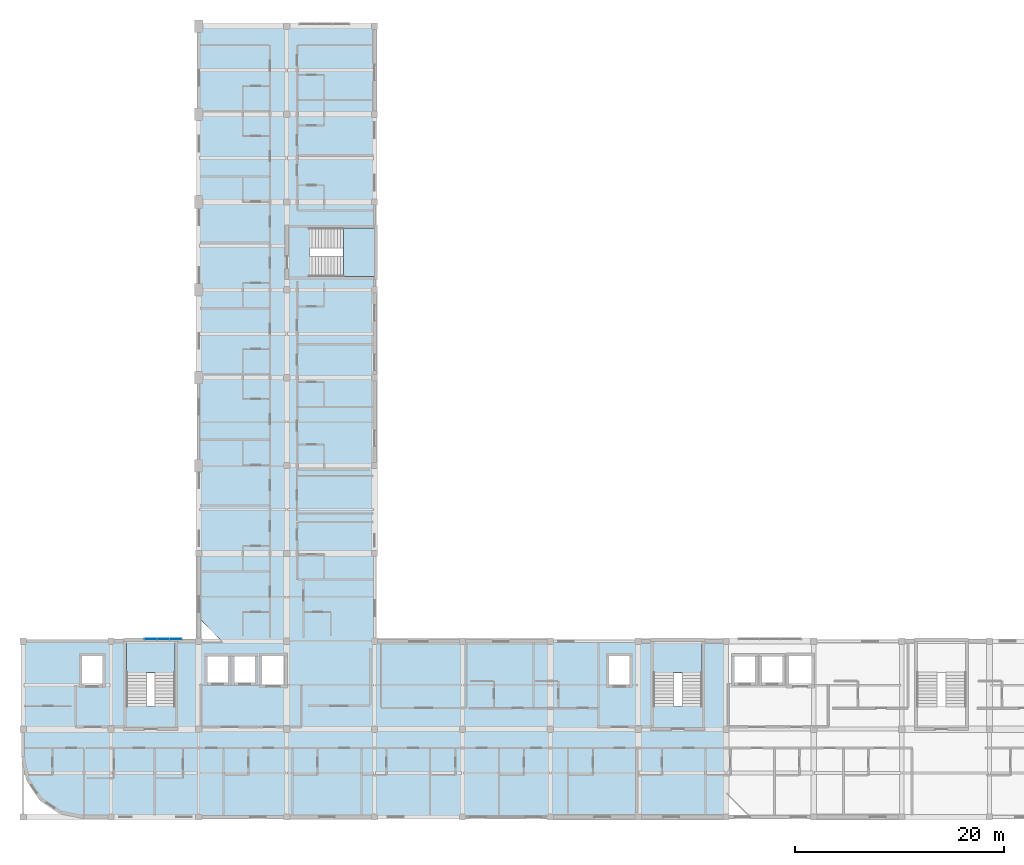
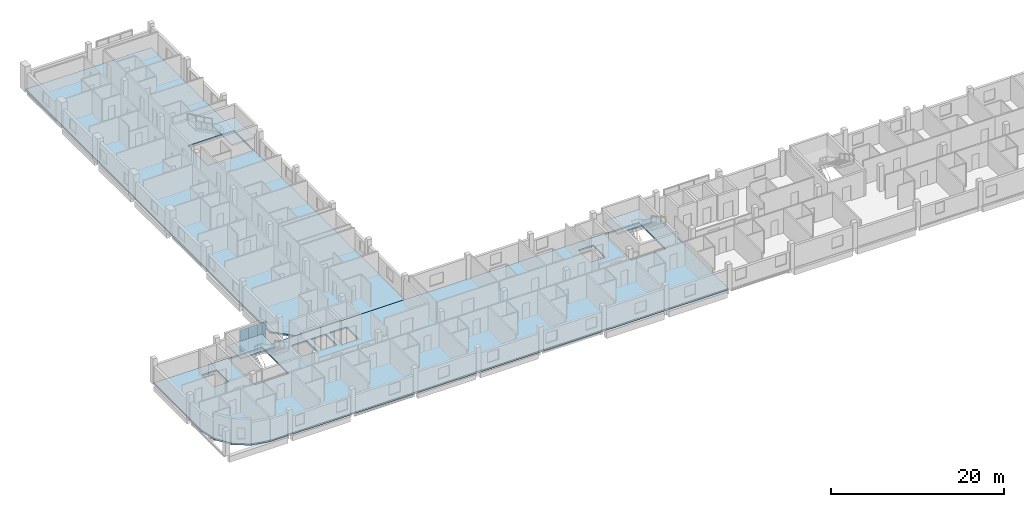
# One storey, part 8 of 24: 6 plates, 5 slabs, 4 elements without a shape of their own.
"""IFC4 building model written with IfcOpenShell, lengths in metres."""

from ifc_helpers import new_model, si_unit, derived_unit, direction, frame, origin, origin_2d, place, context, subcontext, project, spatial, polyline, rectangle, outline, extrude, material, layer, layer_set, type_object, element, aggregate, save


model = new_model("IFC4")

# Units and contexts
model_context = context("Model", 3, precision=1e-05, world=origin(), true_north=direction((0.0, 1.0)))
body_context = subcontext(model_context, "Body", "Model", "MODEL_VIEW")
ifc_project = project(units=[si_unit("LENGTHUNIT", "METRE"), si_unit("AREAUNIT", "SQUARE_METRE"), si_unit("VOLUMEUNIT", "CUBIC_METRE"), si_unit("PLANEANGLEUNIT", "RADIAN"), si_unit("MASSUNIT", "GRAM", prefix="KILO"), derived_unit("THERMALTRANSMITTANCEUNIT", [(si_unit("POWERUNIT", "WATT"), 1), (si_unit("LENGTHUNIT", "METRE"), -2), (si_unit("THERMODYNAMICTEMPERATUREUNIT", "KELVIN"), -1)])], contexts=[model_context])

# Site, building, storey
site_placement = place(None, origin())
site = spatial("IfcSite", under=ifc_project, at=site_placement, CompositionType="ELEMENT")
building_placement = place(site_placement, origin())
building = spatial("IfcBuilding", under=site, at=building_placement, Name="Barrovel Congress Hotel", CompositionType="ELEMENT")
storey_placement = place(building_placement, frame((0.0, 0.0, 29.10009765625)))
storey = spatial("IfcBuildingStorey", under=building, at=storey_placement, Name="L07", CompositionType="ELEMENT", Elevation=29.10009765625)

# Curtain wall, plates
ifc_material_1 = material(Name="Anodised Aluminium Alloy 6063-T6", Category="aluminium")
curtain_wall_type = type_object("IfcCurtainWallType", Name="CW-UN-3600x3200", PredefinedType="USERDEFINED", material=ifc_material_1)
curtain_wall_placement = place(storey_placement, origin())
curtain_wall = element("IfcCurtainWall", 1, at=curtain_wall_placement, inside=storey, type_object=curtain_wall_type, Name="CW:L07:UN-3", ObjectType="UNITISED CURTAIN WALL", PredefinedType="USERDEFINED")
ifc_material_2 = material(Name="Double Low-E Insulated Glazing", Category="glass")
ifc_layer_1 = layer(ifc_material_2, 0.031982421875)
ifc_layer_set_1 = layer_set([ifc_layer_1], Name="Double Low-E Insulated Glazing")
plate_type = type_object("IfcPlateType", Name="CWP-32", PredefinedType="CURTAIN_PANEL", material=ifc_layer_set_1)
plate_1_placement = place(storey_placement, frame((29.0, 21.219970703125, 0.030029296875), z_axis=(0.0, 0.0, 1.0), x_axis=(1.0, 0.0, 0.0)))
plate_1 = element("IfcPlate", 2, at=plate_1_placement, type_object=plate_type, Name="CW:L07:UN-3:P0-0", PredefinedType="CURTAIN_PANEL", context=body_context, shape_type="SweptSolid", body=[
    extrude(rectangle(XDim=1.139892578125, YDim=0.031982421875, at=origin_2d()), origin(), (0.0, 0.0, 1.0), 1.56494140625),
])
plate_2_placement = place(storey_placement, frame((29.0, 21.219970703125, 1.655029296875), z_axis=(0.0, 0.0, 1.0), x_axis=(1.0, 0.0, 0.0)))
plate_2 = element("IfcPlate", 3, at=plate_2_placement, type_object=plate_type, Name="CW:L07:UN-3:P0-1", PredefinedType="CURTAIN_PANEL", context=body_context, shape_type="SweptSolid", body=[
    extrude(rectangle(XDim=1.139892578125, YDim=0.031982421875, at=origin_2d()), origin(), (0.0, 0.0, 1.0), 1.56494140625),
])
plate_3_placement = place(storey_placement, frame((30.199951171875, 21.219970703125, 0.030029296875), z_axis=(0.0, 0.0, 1.0), x_axis=(1.0, 0.0, 0.0)))
plate_3 = element("IfcPlate", 4, at=plate_3_placement, type_object=plate_type, Name="CW:L07:UN-3:P1-0", PredefinedType="CURTAIN_PANEL", context=body_context, shape_type="SweptSolid", body=[
    extrude(rectangle(XDim=1.139892578125, YDim=0.031982421875, at=origin_2d()), origin(), (0.0, 0.0, 1.0), 1.56494140625),
])
plate_4_placement = place(storey_placement, frame((30.199951171875, 21.219970703125, 1.655029296875), z_axis=(0.0, 0.0, 1.0), x_axis=(1.0, 0.0, 0.0)))
plate_4 = element("IfcPlate", 5, at=plate_4_placement, type_object=plate_type, Name="CW:L07:UN-3:P1-1", PredefinedType="CURTAIN_PANEL", context=body_context, shape_type="SweptSolid", body=[
    extrude(rectangle(XDim=1.139892578125, YDim=0.031982421875, at=origin_2d()), origin(), (0.0, 0.0, 1.0), 1.56494140625),
])
plate_5_placement = place(storey_placement, frame((31.39990234375, 21.219970703125, 0.030029296875), z_axis=(0.0, 0.0, 1.0), x_axis=(1.0, 0.0, 0.0)))
plate_5 = element("IfcPlate", 6, at=plate_5_placement, type_object=plate_type, Name="CW:L07:UN-3:P2-0", PredefinedType="CURTAIN_PANEL", context=body_context, shape_type="SweptSolid", body=[
    extrude(rectangle(XDim=1.139892578125, YDim=0.031982421875, at=origin_2d()), origin(), (0.0, 0.0, 1.0), 1.56494140625),
])
plate_6_placement = place(storey_placement, frame((31.39990234375, 21.219970703125, 1.655029296875), z_axis=(0.0, 0.0, 1.0), x_axis=(1.0, 0.0, 0.0)))
plate_6 = element("IfcPlate", 7, at=plate_6_placement, type_object=plate_type, Name="CW:L07:UN-3:P2-1", PredefinedType="CURTAIN_PANEL", context=body_context, shape_type="SweptSolid", body=[
    extrude(rectangle(XDim=1.139892578125, YDim=0.031982421875, at=origin_2d()), origin(), (0.0, 0.0, 1.0), 1.56494140625),
])
aggregate(curtain_wall, [plate_1, plate_2, plate_3, plate_4, plate_5, plate_6])

# Slabs
ifc_material_3 = material(Name="Concrete C35", Category="concrete")
ifc_layer_2 = layer(ifc_material_3, 0.219970703125)
ifc_layer_set_2 = layer_set([ifc_layer_2], Name="Concrete C35")
slab_type_1 = type_object("IfcSlabType", Name="SL-F220", PredefinedType="FLOOR", material=ifc_layer_set_2)
slab_1_placement = place(storey_placement, frame((0.0, 0.0, -0.22021484375)))
element("IfcSlab", 8, at=slab_1_placement, inside=storey, type_object=slab_type_1, Name="SLAB:L07:HOT-S1", PredefinedType="FLOOR", context=body_context, shape_type="SweptSolid", body=[
    extrude(outline(polyline([(16.800048828125, 10.0), (17.241455078125, 7.780517578125), (18.498779296875, 5.898681640625), (20.38037109375, 4.6416015625), (22.60009765625, 4.199951171875), (84.0, 4.199951171875), (84.0, 21.0), (16.800048828125, 21.0), (16.800048828125, 10.0)]), holes=[polyline([(26.699951171875, 14.780029296875), (26.699951171875, 20.919921875), (31.300048828125, 20.919921875), (31.300048828125, 14.780029296875), (26.699951171875, 14.780029296875)]), polyline([(77.10009765625, 14.780029296875), (77.10009765625, 20.919921875), (81.699951171875, 20.919921875), (81.699951171875, 14.780029296875), (77.10009765625, 14.780029296875)]), polyline([(22.39990234375, 16.800048828125), (22.39990234375, 19.60009765625), (24.39990234375, 19.60009765625), (24.39990234375, 16.800048828125), (22.39990234375, 16.800048828125)]), polyline([(72.800048828125, 16.800048828125), (72.800048828125, 19.60009765625), (74.800048828125, 19.60009765625), (74.800048828125, 16.800048828125), (72.800048828125, 16.800048828125)]), polyline([(34.39990234375, 17.050048828125), (34.39990234375, 19.550048828125), (36.39990234375, 19.550048828125), (36.39990234375, 17.050048828125), (34.39990234375, 17.050048828125)]), polyline([(37.0, 17.050048828125), (37.0, 19.550048828125), (39.0, 19.550048828125), (39.0, 17.050048828125), (37.0, 17.050048828125)]), polyline([(39.60009765625, 16.800048828125), (39.60009765625, 19.60009765625), (41.800048828125, 19.60009765625), (41.800048828125, 16.800048828125), (39.60009765625, 16.800048828125)])]), origin(), (0.0, 0.0, 1.0), 0.22021484375),
])
slab_2_placement = place(storey_placement, frame((0.0, 0.0, -0.22021484375)))
element("IfcSlab", 9, at=slab_2_placement, inside=storey, type_object=slab_type_1, Name="SLAB:L07:HOT-W1", PredefinedType="FLOOR", context=body_context, shape_type="SweptSolid", body=[
    extrude(outline(polyline([(35.800048828125, 21.0), (50.39990234375, 21.0), (50.39990234375, 79.800048828125), (33.60009765625, 79.800048828125), (33.60009765625, 23.199951171875), (35.800048828125, 21.0)]), holes=[polyline([(44.179931640625, 55.89990234375), (44.179931640625, 60.5), (50.320068359375, 60.5), (50.320068359375, 55.89990234375), (44.179931640625, 55.89990234375)])]), origin(), (0.0, 0.0, 1.0), 0.22021484375),
])

# Stair, slab
ifc_material_4 = material(Name="Concrete C40", Category="concrete")
stair_type_1 = type_object("IfcStairType", Name="STR-HT-360", PredefinedType="HALF_TURN_STAIR", material=ifc_material_4)
stair_1_placement = place(storey_placement, origin())
stair_1 = element("IfcStair", 10, at=stair_1_placement, inside=storey, type_object=stair_type_1, Name="Exit Stair XS-01 (L07)", PredefinedType="HALF_TURN_STAIR")
ifc_layer_3 = layer(ifc_material_4, 0.18994140625)
ifc_layer_set_3 = layer_set([ifc_layer_3], Name="Concrete C40")
slab_type_2 = type_object("IfcSlabType", Name="SL-LDG-190", PredefinedType="LANDING", material=ifc_layer_set_3)
slab_3_placement = place(storey_placement, frame((0.0, 0.0, 1.60986328125)))
slab_3 = element("IfcSlab", 11, at=slab_3_placement, type_object=slab_type_2, Name="STAIR:XS-01:L07:LDG", PredefinedType="LANDING", context=body_context, shape_type="SweptSolid", body=[
    extrude(outline(polyline([(26.679931640625, 18.010009765625), (31.320068359375, 18.010009765625), (31.320068359375, 21.02001953125), (26.679931640625, 21.02001953125), (26.679931640625, 18.010009765625)])), origin(), (0.0, 0.0, 1.0), 0.18994140625),
])
aggregate(stair_1, [slab_3])

stair_2_placement = place(storey_placement, origin())
stair_2 = element("IfcStair", 12, at=stair_2_placement, inside=storey, type_object=stair_type_1, Name="Exit Stair XS-02 (L07)", PredefinedType="HALF_TURN_STAIR")
ifc_layer_4 = layer(ifc_material_4, 0.2099609375)
ifc_layer_set_4 = layer_set([ifc_layer_4], Name="Concrete C40")
slab_type_3 = type_object("IfcSlabType", Name="SL-LDG-210", PredefinedType="LANDING", material=ifc_layer_set_4)
slab_4_placement = place(storey_placement, frame((0.0, 0.0, 1.58984375)))
slab_4 = element("IfcSlab", 13, at=slab_4_placement, type_object=slab_type_3, Name="STAIR:XS-02:L07:LDG", PredefinedType="LANDING", context=body_context, shape_type="SweptSolid", body=[
    extrude(outline(polyline([(77.080078125, 18.010009765625), (81.719970703125, 18.010009765625), (81.719970703125, 21.02001953125), (77.080078125, 21.02001953125), (77.080078125, 18.010009765625)])), origin(), (0.0, 0.0, 1.0), 0.2099609375),
])
aggregate(stair_2, [slab_4])

stair_type_2 = type_object("IfcStairType", Name="STR-DR-360", PredefinedType="DOUBLE_RETURN_STAIR", material=ifc_material_4)
stair_3_placement = place(storey_placement, origin())
stair_3 = element("IfcStair", 14, at=stair_3_placement, inside=storey, type_object=stair_type_2, Name="Exit Stair XS-05 (L07)", PredefinedType="DOUBLE_RETURN_STAIR")
slab_5_placement = place(storey_placement, frame((0.0, 0.0, 1.58984375)))
slab_5 = element("IfcSlab", 15, at=slab_5_placement, type_object=slab_type_3, Name="STAIR:XS-05:L07:LDG", PredefinedType="LANDING", context=body_context, shape_type="SweptSolid", body=[
    extrude(outline(polyline([(47.409912109375, 55.8798828125), (50.419921875, 55.8798828125), (50.419921875, 60.52001953125), (47.409912109375, 60.52001953125), (47.409912109375, 55.8798828125)])), origin(), (0.0, 0.0, 1.0), 0.2099609375),
])
aggregate(stair_3, [slab_5])

save(model, "model.ifc")
